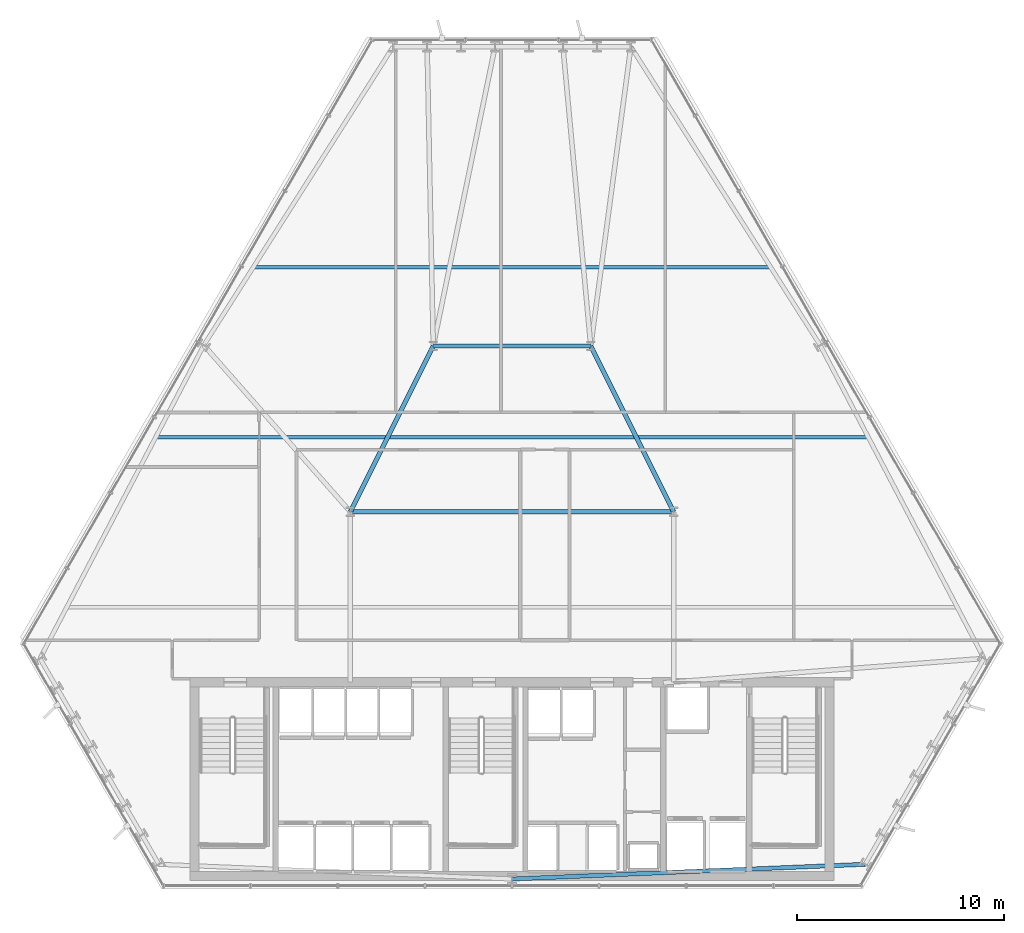
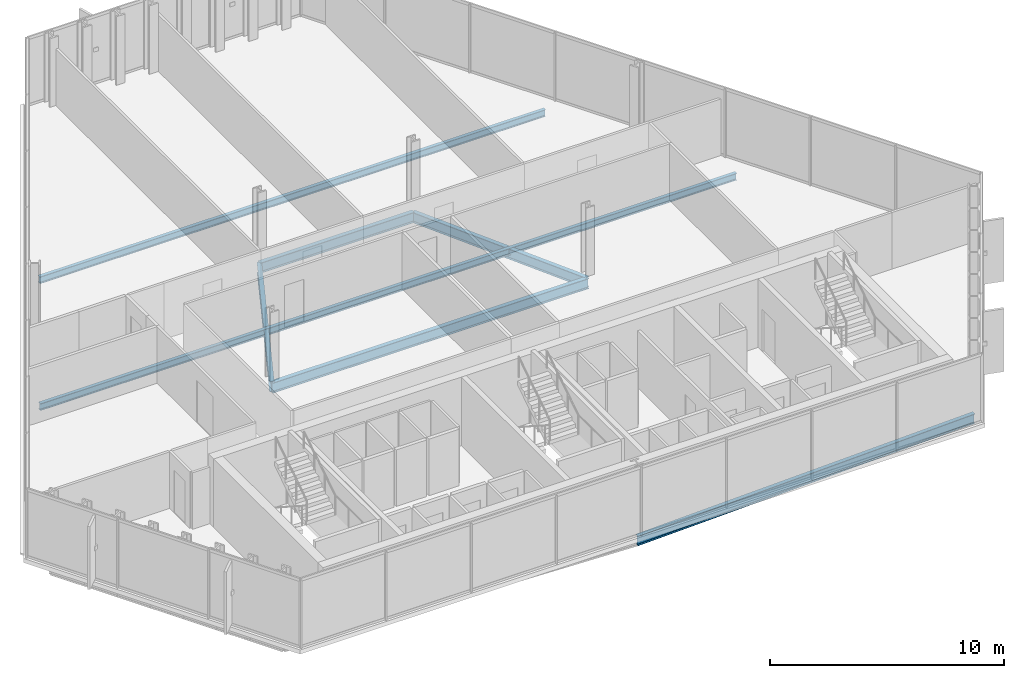
# One storey, part 14 of 31: 7 beams.
"""IFC4 building model written with IfcOpenShell, lengths in metres."""

from ifc_helpers import new_model, si_unit, direction, frame, origin, origin_2d, place, context, subcontext, project, spatial, i_section, extrude, material, material_profile, profile_set, type_object, element, save


model = new_model("IFC4")

# Units and contexts
model_context = context("Model", 3, precision=1e-05, world=origin(), true_north=direction((0.0, 1.0)))
body_context = subcontext(model_context, "Body", "Model", "MODEL_VIEW")
ifc_project = project(units=[si_unit("LENGTHUNIT", "METRE"), si_unit("AREAUNIT", "SQUARE_METRE"), si_unit("VOLUMEUNIT", "CUBIC_METRE"), si_unit("PLANEANGLEUNIT", "RADIAN"), si_unit("MASSUNIT", "GRAM", prefix="KILO")], contexts=[model_context])

# Site, building, storey
site_placement = place(None, origin())
site = spatial("IfcSite", under=ifc_project, at=site_placement, CompositionType="ELEMENT")
building_placement = place(site_placement, origin())
building = spatial("IfcBuilding", under=site, at=building_placement, Name="Ndaravel Arena Tower", CompositionType="ELEMENT")
storey_placement = place(building_placement, frame((0.0, 0.0, 100.60009765625)))
storey = spatial("IfcBuildingStorey", under=building, at=storey_placement, Name="L23", CompositionType="ELEMENT", Elevation=100.60009765625)

# Beams
ifc_material_1 = material(Name="Steel S355", Category="steel")
ifc_material_profile_1 = material_profile(ifc_material_1, i_section(OverallWidth=0.210693359375, OverallDepth=0.53955078125, WebThickness=0.01171875, FlangeThickness=0.018798828125, FilletRadius=0.0126953125, at=origin_2d()), Name="UB 533x210x109")
ifc_profile_set_1 = profile_set([ifc_material_profile_1], Name="Steel S355")
beam_type_1 = type_object("IfcBeamType", Name="BM-GIRD-UB533", PredefinedType="BEAM", material=ifc_profile_set_1)
beam_1_placement = place(storey_placement, frame((34.199951171875, 23.199951171875, -0.489990234375), z_axis=(1.0, 0.0, 0.0), x_axis=(0.0, 1.0, 0.0)))
element("IfcBeam", 1, at=beam_1_placement, inside=storey, type_object=beam_type_1, Name="L23 Spine Link Girder SLG-03", PredefinedType="BEAM", context=body_context, shape_type="SweptSolid", body=[
    extrude(i_section(OverallWidth=0.210693359375, OverallDepth=0.53955078125, WebThickness=0.01171875, FlangeThickness=0.018798828125, FilletRadius=0.0126953125, at=origin_2d()), origin(), (0.0, 0.0, 1.0), 15.60009765625),
])
for number, where, z_axis, x_axis, name in (
    (2, (34.199951171875, 23.199951171875, -0.489990234375), (0.4472135955, 0.894427191, 0.0), (-0.894427191, 0.4472135955, 0.0), "L23 Spine Link Girder SLG-04"),
    (3, (49.800048828125, 23.199951171875, -0.489990234375), (-0.4472135955, 0.894427191, 0.0), (-0.894427191, -0.4472135955, 0.0), "L23 Spine Link Girder SLG-05"),
):
    element("IfcBeam", number, at=place(storey_placement, frame(where, z_axis=z_axis, x_axis=x_axis)), inside=storey, type_object=beam_type_1, Name=name, PredefinedType="BEAM", context=body_context, shape_type="SweptSolid", body=[
        extrude(i_section(OverallWidth=0.210693359375, OverallDepth=0.53955078125, WebThickness=0.01171875, FlangeThickness=0.018798828125, FilletRadius=0.0126953125, at=origin_2d()), origin(), (0.0, 0.0, 1.0), 8.9443359375),
    ])
beam_2_placement = place(storey_placement, frame((38.199951171875, 31.199951171875, -0.489990234375), z_axis=(1.0, 0.0, 0.0), x_axis=(0.0, 1.0, 0.0)))
element("IfcBeam", 4, at=beam_2_placement, inside=storey, type_object=beam_type_1, Name="L23 Spine Link Girder SLG-06", PredefinedType="BEAM", context=body_context, shape_type="SweptSolid", body=[
    extrude(i_section(OverallWidth=0.210693359375, OverallDepth=0.53955078125, WebThickness=0.01171875, FlangeThickness=0.018798828125, FilletRadius=0.0126953125, at=origin_2d()), origin(), (0.0, 0.0, 1.0), 7.60009765625),
])
ifc_material_2 = material(Name="Steel S355", Category="steel")
ifc_material_profile_2 = material_profile(ifc_material_2, i_section(OverallWidth=0.169921875, OverallDepth=0.360107421875, WebThickness=0.008056640625, FlangeThickness=0.0126953125, FilletRadius=0.01806640625, at=origin_2d()), Name="IPE 360")
ifc_profile_set_2 = profile_set([ifc_material_profile_2], Name="Steel S355")
beam_type_2 = type_object("IfcBeamType", Name="BM-JOIST-IPE360", PredefinedType="JOIST", material=ifc_profile_set_2)
beam_3_placement = place(storey_placement, frame((24.807373046875, 26.800048828125, -0.400146484375), z_axis=(1.0, 0.0, 0.0), x_axis=(0.0, 1.0, 0.0)))
element("IfcBeam", 5, at=beam_3_placement, inside=storey, type_object=beam_type_2, Name="L23 Composite Floor Joist FJ-02", PredefinedType="JOIST", context=body_context, shape_type="SweptSolid", body=[
    extrude(i_section(OverallWidth=0.169921875, OverallDepth=0.360107421875, WebThickness=0.008056640625, FlangeThickness=0.0126953125, FilletRadius=0.01806640625, at=origin_2d()), origin(), (0.0, 0.0, 1.0), 34.38525390625),
])
beam_4_placement = place(storey_placement, frame((29.514892578125, 35.0, -0.400146484375), z_axis=(1.0, 0.0, 0.0), x_axis=(0.0, 1.0, 0.0)))
element("IfcBeam", 6, at=beam_4_placement, inside=storey, type_object=beam_type_2, Name="L23 Composite Floor Joist FJ-03", PredefinedType="JOIST", context=body_context, shape_type="SweptSolid", body=[
    extrude(i_section(OverallWidth=0.169921875, OverallDepth=0.360107421875, WebThickness=0.008056640625, FlangeThickness=0.0126953125, FilletRadius=0.01806640625, at=origin_2d()), origin(), (0.0, 0.0, 1.0), 24.97021484375),
])
ifc_material_3 = material(Name="Steel S355", Category="steel")
ifc_material_profile_3 = material_profile(ifc_material_3, i_section(OverallWidth=0.199951171875, OverallDepth=0.5, WebThickness=0.01025390625, FlangeThickness=0.01611328125, FilletRadius=0.02099609375, at=origin_2d()), Name="IPE 500")
ifc_profile_set_3 = profile_set([ifc_material_profile_3], Name="Steel S355")
beam_type_3 = type_object("IfcBeamType", Name="BM-SPAN-IPE500", PredefinedType="SPANDREL", material=ifc_profile_set_3)
beam_5_placement = place(storey_placement, frame((42.0, 5.47998046875, -0.47021484375), z_axis=(0.999134065017, 0.041606731707, 0.0), x_axis=(-0.041606731707, 0.999134065017, 0.0)))
element("IfcBeam", 7, at=beam_5_placement, inside=storey, type_object=beam_type_3, Name="L23 Perimeter Spandrel Beam SP-01", PredefinedType="SPANDREL", context=body_context, shape_type="SweptSolid", body=[
    extrude(i_section(OverallWidth=0.199951171875, OverallDepth=0.5, WebThickness=0.01025390625, FlangeThickness=0.01611328125, FilletRadius=0.02099609375, at=origin_2d()), origin(), (0.0, 0.0, 1.0), 17.057861328125),
])

save(model, "model.ifc")
